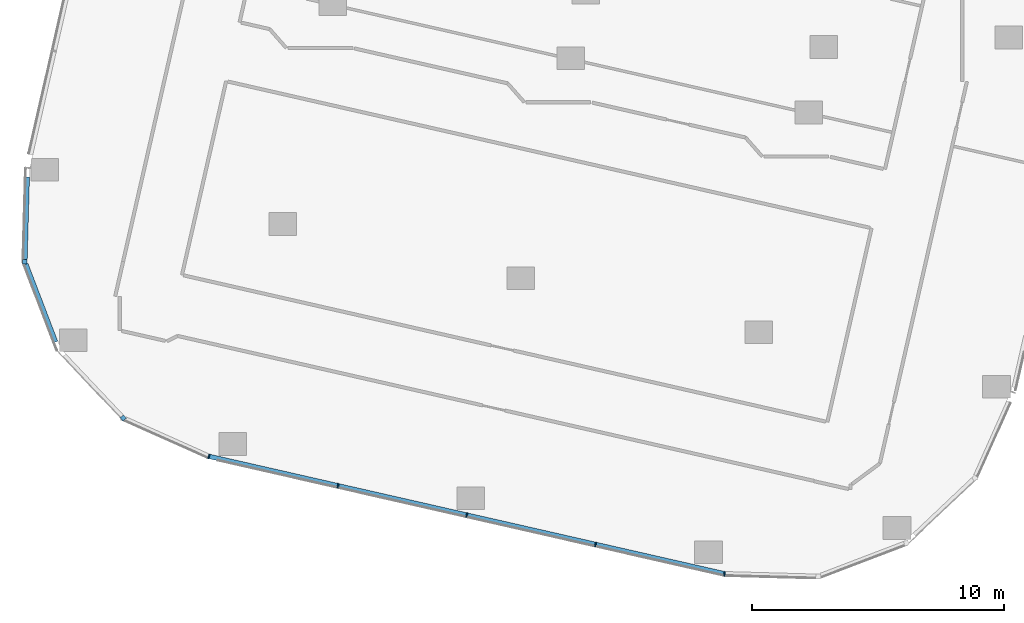
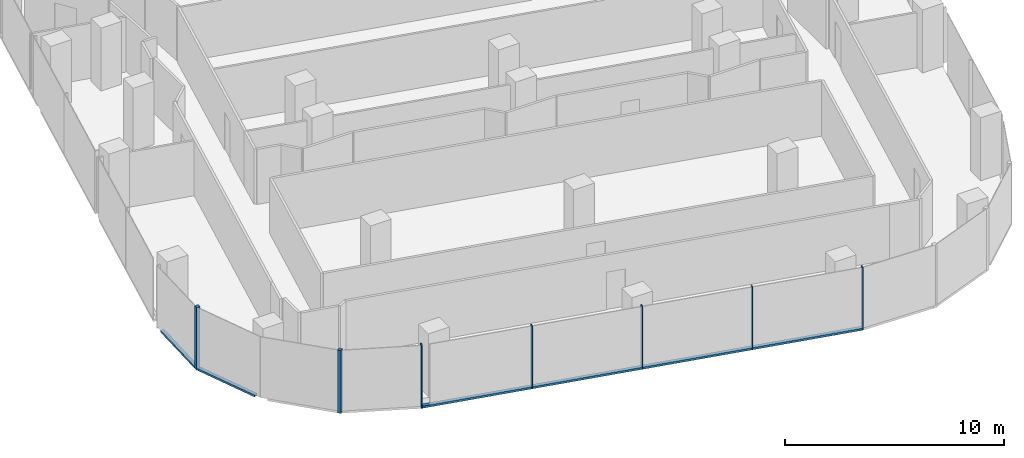
# One storey, part 2 of 24: 10 members, 5 elements without a shape of their own.
"""IFC4 building model written with IfcOpenShell, lengths in metres."""

from ifc_helpers import new_model, si_unit, direction, frame, origin, origin_2d, place, context, subcontext, project, spatial, rectangle, extrude, material, material_profile, profile_set, type_object, element, aggregate, save


model = new_model("IFC4")

# Units and contexts
model_context = context("Model", 3, precision=1e-05, world=origin(), true_north=direction((0.0, 1.0)))
body_context = subcontext(model_context, "Body", "Model", "MODEL_VIEW")
ifc_project = project(units=[si_unit("LENGTHUNIT", "METRE"), si_unit("AREAUNIT", "SQUARE_METRE"), si_unit("VOLUMEUNIT", "CUBIC_METRE"), si_unit("PLANEANGLEUNIT", "RADIAN"), si_unit("MASSUNIT", "GRAM", prefix="KILO")], contexts=[model_context])

# Site, building, storey
site_placement = place(None, origin())
site = spatial("IfcSite", under=ifc_project, at=site_placement, CompositionType="ELEMENT")
building_placement = place(site_placement, origin())
building = spatial("IfcBuilding", under=site, at=building_placement, Name="Orlundy Tower", CompositionType="ELEMENT")
storey_placement = place(building_placement, frame((0.0, 0.0, 174.10009765625)))
storey = spatial("IfcBuildingStorey", under=building, at=storey_placement, Name="L45", CompositionType="ELEMENT", Elevation=174.10009765625)

# Curtain wall, member
ifc_material_1 = material(Name="Aluminium bronze anodised", Category="aluminium")
curtain_wall_type = type_object("IfcCurtainWallType", Name="CW1 wall", PredefinedType="NOTDEFINED", material=ifc_material_1)
curtain_wall_1_placement = place(storey_placement, origin())
curtain_wall_1 = element("IfcCurtainWall", 1, at=curtain_wall_1_placement, inside=storey, type_object=curtain_wall_type, Name="CW1 run 025", PredefinedType="NOTDEFINED")
ifc_material_2 = material(Name="Aluminium bronze anodised", Category="aluminium")
ifc_material_profile_1 = material_profile(ifc_material_2, rectangle(XDim=0.179931640625, YDim=0.179931640625, at=origin_2d()), Name="CW1 corner post 180x180")
ifc_profile_set_1 = profile_set([ifc_material_profile_1], Name="Aluminium bronze anodised")
member_type_1 = type_object("IfcMemberType", Name="CW1 corner post 180x180", PredefinedType="MULLION", material=ifc_profile_set_1)
member_1_placement = place(storey_placement, frame((-27.113037109375, -55.21875, -0.420166015625), z_axis=(0.0, 0.0, 1.0), x_axis=(-0.726526655942, -0.68713828172, 0.0)))
member_1 = element("IfcMember", 2, at=member_1_placement, type_object=member_type_1, Name="CW1 mullion 58", PredefinedType="MULLION", context=body_context, shape_type="SweptSolid", body=[
    extrude(rectangle(XDim=0.179931640625, YDim=0.179931640625, at=origin_2d()), origin(), (0.0, 0.0, 1.0), 3.5),
])
aggregate(curtain_wall_1, [member_1])

curtain_wall_2_placement = place(storey_placement, origin())
curtain_wall_2 = element("IfcCurtainWall", 3, at=curtain_wall_2_placement, inside=storey, type_object=curtain_wall_type, Name="CW1 run 027", PredefinedType="NOTDEFINED")
member_2_placement = place(storey_placement, frame((-31.021484375, -49.00439453125, -0.420166015625), z_axis=(0.0, 0.0, 1.0), x_axis=(-0.999613796342, 0.027789533343, 0.0)))
member_2 = element("IfcMember", 4, at=member_2_placement, type_object=member_type_1, Name="CW1 mullion 60", PredefinedType="MULLION", context=body_context, shape_type="SweptSolid", body=[
    extrude(rectangle(XDim=0.179931640625, YDim=0.179931640625, at=origin_2d()), origin(), (0.0, 0.0, 1.0), 3.5),
])

# Curtain wall, members
curtain_wall_3_placement = place(storey_placement, origin())
curtain_wall_3 = element("IfcCurtainWall", 5, at=curtain_wall_3_placement, inside=storey, type_object=curtain_wall_type, Name="CW1 run 023", PredefinedType="NOTDEFINED")
ifc_material_3 = material(Name="Aluminium bronze anodised", Category="aluminium")
ifc_material_profile_2 = material_profile(ifc_material_3, rectangle(XDim=0.179931640625, YDim=0.050048828125, at=origin_2d()), Name="CW1 mullion 50x180")
ifc_profile_set_2 = profile_set([ifc_material_profile_2], Name="Aluminium bronze anodised")
member_type_2 = type_object("IfcMemberType", Name="CW1 mullion 50x180", PredefinedType="MULLION", material=ifc_profile_set_2)
member_3_placement = place(storey_placement, frame((-3.21142578125, -61.41064453125, -0.420166015625), z_axis=(0.0, 0.0, 1.0), x_axis=(-0.12540953917, -0.992105058693, 0.0)))
member_3 = element("IfcMember", 6, at=member_3_placement, type_object=member_type_2, Name="CW1 mullion 53", PredefinedType="MULLION", context=body_context, shape_type="SweptSolid", body=[
    extrude(rectangle(XDim=0.179931640625, YDim=0.050048828125, at=origin_2d()), origin(), (0.0, 0.0, 1.0), 3.5),
])
member_4_placement = place(storey_placement, frame((-8.3388671875, -60.24267578125, -0.420166015625), z_axis=(0.0, 0.0, 1.0), x_axis=(-0.222090335048, -0.975026093537, 0.0)))
member_4 = element("IfcMember", 7, at=member_4_placement, type_object=member_type_2, Name="CW1 mullion 54", PredefinedType="MULLION", context=body_context, shape_type="SweptSolid", body=[
    extrude(rectangle(XDim=0.179931640625, YDim=0.050048828125, at=origin_2d()), origin(), (0.0, 0.0, 1.0), 3.5),
])
member_5_placement = place(storey_placement, frame((-13.4580078125, -59.07666015625, -0.420166015625), z_axis=(0.0, 0.0, 1.0), x_axis=(-0.222090335048, -0.975026093537, 0.0)))
member_5 = element("IfcMember", 8, at=member_5_placement, type_object=member_type_2, Name="CW1 mullion 55", PredefinedType="MULLION", context=body_context, shape_type="SweptSolid", body=[
    extrude(rectangle(XDim=0.179931640625, YDim=0.050048828125, at=origin_2d()), origin(), (0.0, 0.0, 1.0), 3.5),
])
member_6_placement = place(storey_placement, frame((-18.576904296875, -57.91064453125, -0.420166015625), z_axis=(0.0, 0.0, 1.0), x_axis=(-0.222090335048, -0.975026093537, 0.0)))
member_6 = element("IfcMember", 9, at=member_6_placement, type_object=member_type_2, Name="CW1 mullion 56", PredefinedType="MULLION", context=body_context, shape_type="SweptSolid", body=[
    extrude(rectangle(XDim=0.179931640625, YDim=0.050048828125, at=origin_2d()), origin(), (0.0, 0.0, 1.0), 3.5),
])

# Curtain wall, member
curtain_wall_4_placement = place(storey_placement, origin())
curtain_wall_4 = element("IfcCurtainWall", 10, at=curtain_wall_4_placement, inside=storey, type_object=curtain_wall_type, Name="CW1 run 024", PredefinedType="NOTDEFINED")
member_7_placement = place(storey_placement, frame((-23.70458984375, -56.74267578125, -0.420166015625), z_axis=(0.0, 0.0, 1.0), x_axis=(-0.316654515257, -0.94854094164, 0.0)))
member_7 = element("IfcMember", 11, at=member_7_placement, type_object=member_type_2, Name="CW1 mullion 57", PredefinedType="MULLION", context=body_context, shape_type="SweptSolid", body=[
    extrude(rectangle(XDim=0.179931640625, YDim=0.050048828125, at=origin_2d()), origin(), (0.0, 0.0, 1.0), 3.5),
])
aggregate(curtain_wall_4, [member_7])

# Member
ifc_material_4 = material(Name="Aluminium bronze anodised", Category="aluminium")
ifc_material_profile_3 = material_profile(ifc_material_4, rectangle(XDim=0.179931640625, YDim=0.1201171875, at=origin_2d()), Name="CW1 transom 180x120")
ifc_profile_set_3 = profile_set([ifc_material_profile_3], Name="Aluminium bronze anodised")
member_type_3 = type_object("IfcMemberType", Name="CW1 transom 180x120", PredefinedType="USERDEFINED", material=ifc_profile_set_3)
member_8_placement = place(storey_placement, frame((-3.23583984375, -61.405029296875, -0.360107421875), z_axis=(-0.975026602826, 0.222088099144, 0.0), x_axis=(-0.222088099144, -0.975026602826, 0.0)))
member_8 = element("IfcMember", 12, at=member_8_placement, type_object=member_type_3, Name="CW1 transom", ObjectType="TRANSOM", PredefinedType="USERDEFINED", context=body_context, shape_type="SweptSolid", body=[
    extrude(rectangle(XDim=0.179931640625, YDim=0.1201171875, at=origin_2d()), origin(), (0.0, 0.0, 1.0), 20.968017578125),
])

aggregate(curtain_wall_3, [member_3, member_4, member_5, member_6, member_8])

# Curtain wall, member
curtain_wall_5_placement = place(storey_placement, origin())
curtain_wall_5 = element("IfcCurtainWall", 13, at=curtain_wall_5_placement, inside=storey, type_object=curtain_wall_type, Name="CW1 run 026", PredefinedType="NOTDEFINED")
member_9_placement = place(storey_placement, frame((-29.799072265625, -52.200927734375, -0.360107421875), z_axis=(-0.35716761429, 0.934040307108, 0.0), x_axis=(-0.934040307108, -0.35716761429, 0.0)))
member_9 = element("IfcMember", 14, at=member_9_placement, type_object=member_type_3, Name="CW1 transom", ObjectType="TRANSOM", PredefinedType="USERDEFINED", context=body_context, shape_type="SweptSolid", body=[
    extrude(rectangle(XDim=0.179931640625, YDim=0.1201171875, at=origin_2d()), origin(), (0.0, 0.0, 1.0), 3.32470703125),
])
aggregate(curtain_wall_5, [member_9])

# Member
member_10_placement = place(storey_placement, frame((-31.01904296875, -48.91455078125, -0.360107421875), z_axis=(0.027820893946, 0.999612924016, 0.0), x_axis=(-0.999612924016, 0.027820893946, 0.0)))
member_10 = element("IfcMember", 15, at=member_10_placement, type_object=member_type_3, Name="CW1 transom", ObjectType="TRANSOM", PredefinedType="USERDEFINED", context=body_context, shape_type="SweptSolid", body=[
    extrude(rectangle(XDim=0.179931640625, YDim=0.1201171875, at=origin_2d()), origin(), (0.0, 0.0, 1.0), 3.273193359375),
])

aggregate(curtain_wall_2, [member_2, member_10])

save(model, "model.ifc")
